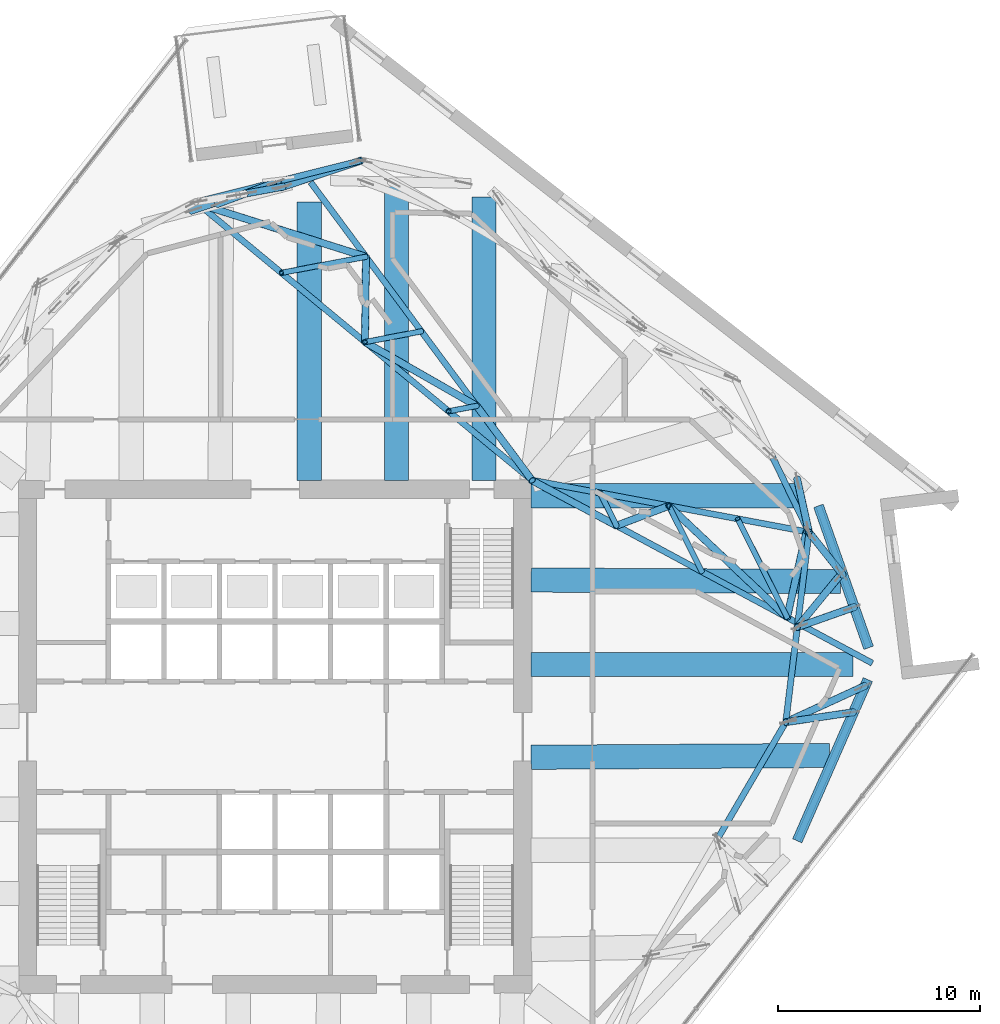
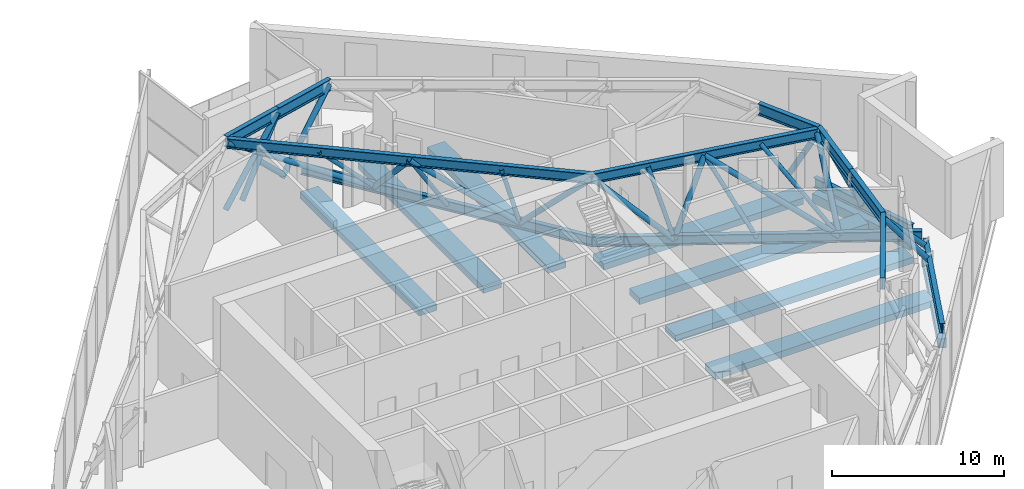
# One storey, part 7 of 23: 24 members, 21 beams.
"""IFC4 building model written with IfcOpenShell, lengths in metres."""

from ifc_helpers import new_model, si_unit, direction, frame, origin, origin_2d, place, context, subcontext, project, spatial, rectangle, hollow_circle, i_section, extrude, material, material_profile, profile_set, type_object, element, save


model = new_model("IFC4")

# Units and contexts
model_context = context("Model", 3, precision=1e-05, world=origin(), true_north=direction((0.0, 1.0)))
body_context = subcontext(model_context, "Body", "Model", "MODEL_VIEW")
ifc_project = project(units=[si_unit("LENGTHUNIT", "METRE"), si_unit("AREAUNIT", "SQUARE_METRE"), si_unit("VOLUMEUNIT", "CUBIC_METRE"), si_unit("PLANEANGLEUNIT", "RADIAN"), si_unit("MASSUNIT", "GRAM", prefix="KILO")], contexts=[model_context])

# Site, building, storey
site_placement = place(None, origin())
site = spatial("IfcSite", under=ifc_project, at=site_placement, CompositionType="ELEMENT")
building_placement = place(site_placement, origin())
building = spatial("IfcBuilding", under=site, at=building_placement, Name="Dilmun Exchange Tower", CompositionType="ELEMENT")
storey_placement = place(building_placement, frame((0.0, 0.0, 237.300048828125)))
storey = spatial("IfcBuildingStorey", under=building, at=storey_placement, Name="L56", CompositionType="ELEMENT", Elevation=237.300048828125)

# Beams
ifc_material_1 = material(Name="Concrete C40/50", Category="concrete")
ifc_material_profile_1 = material_profile(ifc_material_1, rectangle(XDim=1.199951171875, YDim=0.449951171875, at=origin_2d()), Name="1200 x 450")
ifc_profile_set_1 = profile_set([ifc_material_profile_1], Name="Concrete C40/50")
beam_type_1 = type_object("IfcBeamType", Name="RC band beam 1200 x 450 C40/50", PredefinedType="BEAM", material=ifc_profile_set_1)
beam_1_placement = place(storey_placement, frame((1.68505859375, 26.465576171875, -0.705078125), z_axis=(0.0, -1.0, 0.0), x_axis=(1.0, 0.0, 0.0)))
element("IfcBeam", 1, at=beam_1_placement, inside=storey, type_object=beam_type_1, Name="Band beam 1", PredefinedType="BEAM", context=body_context, shape_type="SweptSolid", body=[
    extrude(rectangle(XDim=1.199951171875, YDim=0.449951171875, at=origin_2d()), origin(), (0.0, 0.0, 1.0), 13.79248046875),
])
beam_2_placement = place(storey_placement, frame((28.586669921875, 3.58203125, -0.705078125), z_axis=(-1.0, 0.0, 0.0), x_axis=(0.0, -1.0, 0.0)))
element("IfcBeam", 2, at=beam_2_placement, inside=storey, type_object=beam_type_1, Name="Band beam 13", PredefinedType="BEAM", context=body_context, shape_type="SweptSolid", body=[
    extrude(rectangle(XDim=1.199951171875, YDim=0.449951171875, at=origin_2d()), origin(), (0.0, 0.0, 1.0), 15.91357421875),
])
beam_3_placement = place(storey_placement, frame((26.0458984375, 11.930908203125, -0.705078125), z_axis=(-1.0, 0.0, 0.0), x_axis=(0.0, -1.0, 0.0)))
element("IfcBeam", 3, at=beam_3_placement, inside=storey, type_object=beam_type_1, Name="Band beam 14", PredefinedType="BEAM", context=body_context, shape_type="SweptSolid", body=[
    extrude(rectangle(XDim=1.199951171875, YDim=0.449951171875, at=origin_2d()), origin(), (0.0, 0.0, 1.0), 13.372802734375),
])
beam_4_placement = place(storey_placement, frame((10.3330078125, 26.703857421875, -0.705078125), z_axis=(0.0, -1.0, 0.0), x_axis=(1.0, 0.0, 0.0)))
element("IfcBeam", 4, at=beam_4_placement, inside=storey, type_object=beam_type_1, Name="Band beam 16", PredefinedType="BEAM", context=body_context, shape_type="SweptSolid", body=[
    extrude(rectangle(XDim=1.199951171875, YDim=0.449951171875, at=origin_2d()), origin(), (0.0, 0.0, 1.0), 14.03076171875),
])
beam_5_placement = place(storey_placement, frame((27.441650390625, -0.924072265625, -0.60498046875), z_axis=(-0.999981696912, -0.006050276087, 0.0), x_axis=(0.006050276087, -0.999981696912, 0.0)))
element("IfcBeam", 5, at=beam_5_placement, inside=storey, type_object=beam_type_1, Name="Band beam 28", PredefinedType="BEAM", context=body_context, shape_type="SweptSolid", body=[
    extrude(rectangle(XDim=1.199951171875, YDim=0.449951171875, at=origin_2d()), origin(), (0.0, 0.0, 1.0), 14.768798828125),
])
beam_6_placement = place(storey_placement, frame((27.972412109375, 7.68212890625, -0.60498046875), z_axis=(-0.99998815601, 0.004867015408, 0.0), x_axis=(-0.004867015408, -0.99998815601, 0.0)))
element("IfcBeam", 6, at=beam_6_placement, inside=storey, type_object=beam_type_1, Name="Band beam 29", PredefinedType="BEAM", context=body_context, shape_type="SweptSolid", body=[
    extrude(rectangle(XDim=1.199951171875, YDim=0.449951171875, at=origin_2d()), origin(), (0.0, 0.0, 1.0), 15.299560546875),
])
beam_7_placement = place(storey_placement, frame((6.00439453125, 27.22802734375, -0.60498046875), z_axis=(0.000318701025, -0.999999949215, 0.0), x_axis=(0.999999949215, 0.000318701025, 0.0)))
element("IfcBeam", 7, at=beam_7_placement, inside=storey, type_object=beam_type_1, Name="Band beam 32", PredefinedType="BEAM", context=body_context, shape_type="SweptSolid", body=[
    extrude(rectangle(XDim=1.199951171875, YDim=0.449951171875, at=origin_2d()), origin(), (0.0, 0.0, 1.0), 14.554931640625),
])
ifc_material_profile_2 = material_profile(ifc_material_1, rectangle(XDim=0.5, YDim=0.64990234375, at=origin_2d()), Name="500 x 650")
ifc_profile_set_2 = profile_set([ifc_material_profile_2], Name="Concrete C40/50")
beam_type_2 = type_object("IfcBeamType", Name="RC ring beam 500 x 650 C40/50", PredefinedType="SPANDREL", material=ifc_profile_set_2)
beam_8_placement = place(storey_placement, frame((25.835205078125, -5.1474609375, -0.705078125), z_axis=(0.401239440722, 0.915973204416, 0.0), x_axis=(-0.915973204416, 0.401239440722, 0.0)))
element("IfcBeam", 8, at=beam_8_placement, inside=storey, type_object=beam_type_2, Name="Ring beam 12", PredefinedType="SPANDREL", context=body_context, shape_type="SweptSolid", body=[
    extrude(rectangle(XDim=0.5, YDim=0.64990234375, at=origin_2d()), origin(), (0.0, 0.0, 1.0), 8.707763671875),
])
beam_9_placement = place(storey_placement, frame((29.367919921875, 4.404541015625, -0.705078125), z_axis=(-0.333423578623, 0.942777130195, 0.0), x_axis=(-0.942777130195, -0.333423578623, 0.0)))
element("IfcBeam", 9, at=beam_9_placement, inside=storey, type_object=beam_type_2, Name="Ring beam 13", PredefinedType="SPANDREL", context=body_context, shape_type="SweptSolid", body=[
    extrude(rectangle(XDim=0.5, YDim=0.64990234375, at=origin_2d()), origin(), (0.0, 0.0, 1.0), 7.4482421875),
])
ifc_material_2 = material(Name="Steel S355", Category="steel")
ifc_material_profile_3 = material_profile(ifc_material_2, i_section(OverallWidth=0.300048828125, OverallDepth=0.699951171875, WebThickness=0.01708984375, FlangeThickness=0.031982421875, FilletRadius=0.027099609375, at=origin_2d()), Name="HEB 700")
ifc_profile_set_3 = profile_set([ifc_material_profile_3], Name="Steel S355")
beam_type_3 = type_object("IfcBeamType", Name="belt bottom chord HEB 700", PredefinedType="BEAM", material=ifc_profile_set_3)
beam_10_placement = place(storey_placement, frame((25.835205078125, -5.1474609375, 0.349853515625), z_axis=(0.401239440722, 0.915973204416, 0.0), x_axis=(-0.915973204416, 0.401239440722, 0.0)))
element("IfcBeam", 10, at=beam_10_placement, inside=storey, type_object=beam_type_3, Name="Belt bottom chord 12", PredefinedType="BEAM", context=body_context, shape_type="SweptSolid", body=[
    extrude(i_section(OverallWidth=0.300048828125, OverallDepth=0.699951171875, WebThickness=0.01708984375, FlangeThickness=0.031982421875, FilletRadius=0.027099609375, at=origin_2d()), origin(), (0.0, 0.0, 1.0), 8.707763671875),
])
beam_11_placement = place(storey_placement, frame((29.367919921875, 4.404541015625, 0.349853515625), z_axis=(-0.333423578623, 0.942777130195, 0.0), x_axis=(-0.942777130195, -0.333423578623, 0.0)))
element("IfcBeam", 11, at=beam_11_placement, inside=storey, type_object=beam_type_3, Name="Belt bottom chord 13", PredefinedType="BEAM", context=body_context, shape_type="SweptSolid", body=[
    extrude(i_section(OverallWidth=0.300048828125, OverallDepth=0.699951171875, WebThickness=0.01708984375, FlangeThickness=0.031982421875, FilletRadius=0.027099609375, at=origin_2d()), origin(), (0.0, 0.0, 1.0), 7.4482421875),
])
ifc_material_profile_4 = material_profile(ifc_material_2, i_section(OverallWidth=0.300048828125, OverallDepth=0.699951171875, WebThickness=0.01708984375, FlangeThickness=0.031982421875, FilletRadius=0.027099609375, at=origin_2d()), Name="HEB 700")
ifc_profile_set_4 = profile_set([ifc_material_profile_4], Name="Steel S355")
beam_type_4 = type_object("IfcBeamType", Name="outrigger chord HEB 700", PredefinedType="BEAM", material=ifc_profile_set_4)
beam_12_placement = place(storey_placement, frame((12.716064453125, 12.67822265625, 0.349853515625), z_axis=(-0.596059655436, 0.802940151668, 0.0), x_axis=(-0.802940151668, -0.596059655436, 0.0)))
element("IfcBeam", 12, at=beam_12_placement, inside=storey, type_object=beam_type_4, Name="Outrigger bottom chord 1", PredefinedType="BEAM", context=body_context, shape_type="SweptSolid", body=[
    extrude(i_section(OverallWidth=0.300048828125, OverallDepth=0.699951171875, WebThickness=0.01708984375, FlangeThickness=0.031982421875, FilletRadius=0.027099609375, at=origin_2d()), origin(), (0.0, 0.0, 1.0), 18.3837890625),
])
beam_13_placement = place(storey_placement, frame((12.720703125, 12.682861328125, 4.7900390625), z_axis=(-0.770240631739, 0.637753376485, 0.0), x_axis=(-0.637753376485, -0.770240631739, 0.0)))
element("IfcBeam", 13, at=beam_13_placement, inside=storey, type_object=beam_type_4, Name="Outrigger top chord 1", PredefinedType="BEAM", context=body_context, shape_type="SweptSolid", body=[
    extrude(i_section(OverallWidth=0.300048828125, OverallDepth=0.699951171875, WebThickness=0.01708984375, FlangeThickness=0.031982421875, FilletRadius=0.027099609375, at=origin_2d()), origin(), (0.0, 0.0, 1.0), 21.4736328125),
])
beam_14_placement = place(storey_placement, frame((12.67626953125, 12.712890625, 0.349853515625), z_axis=(0.880765537018, -0.473552604049, 0.0), x_axis=(0.473552604049, 0.880765537018, 0.0)))
element("IfcBeam", 14, at=beam_14_placement, inside=storey, type_object=beam_type_4, Name="Outrigger bottom chord 4", PredefinedType="BEAM", context=body_context, shape_type="SweptSolid", body=[
    extrude(i_section(OverallWidth=0.300048828125, OverallDepth=0.699951171875, WebThickness=0.01708984375, FlangeThickness=0.031982421875, FilletRadius=0.027099609375, at=origin_2d()), origin(), (0.0, 0.0, 1.0), 19.158935546875),
])
beam_15_placement = place(storey_placement, frame((12.673583984375, 12.705078125, 4.7900390625), z_axis=(0.98278691706, -0.184742728292, 0.0), x_axis=(0.184742728292, 0.98278691706, 0.0)))
element("IfcBeam", 15, at=beam_15_placement, inside=storey, type_object=beam_type_4, Name="Outrigger top chord 4", PredefinedType="BEAM", context=body_context, shape_type="SweptSolid", body=[
    extrude(i_section(OverallWidth=0.300048828125, OverallDepth=0.699951171875, WebThickness=0.01708984375, FlangeThickness=0.031982421875, FilletRadius=0.027099609375, at=origin_2d()), origin(), (0.0, 0.0, 1.0), 13.857421875),
])

# Members
ifc_material_profile_5 = material_profile(ifc_material_2, hollow_circle(Radius=0.136474609375, WallThickness=0.01611328125, at=origin_2d()), Name="CHS 273x16")
ifc_profile_set_5 = profile_set([ifc_material_profile_5], Name="Steel S355")
member_type_1 = type_object("IfcMemberType", Name="outrigger post CHS 273x16", PredefinedType="POST", material=ifc_profile_set_5)
member_1_placement = place(storey_placement, frame((8.585693359375, 16.1064453125, 4.7900390625), z_axis=(0.298449727086, 0.056263824274, -0.952765523348), x_axis=(-0.185257007557, 0.982690104331, 0.0)))
element("IfcMember", 16, at=member_1_placement, inside=storey, type_object=member_type_1, Name="Outrigger post 1.1", PredefinedType="POST", context=body_context, shape_type="SweptSolid", body=[
    extrude(hollow_circle(Radius=0.136474609375, WallThickness=0.01611328125, at=origin_2d()), origin(), (0.0, 0.0, 1.0), 4.660400390625),
])
member_2_placement = place(storey_placement, frame((4.45068359375, 19.5302734375, 4.7900390625), z_axis=(0.528894544605, 0.100320368764, -0.842737434969), x_axis=(-0.186356572029, 0.982482176969, 0.0)))
element("IfcMember", 17, at=member_2_placement, inside=storey, type_object=member_type_1, Name="Outrigger post 1.2", PredefinedType="POST", context=body_context, shape_type="SweptSolid", body=[
    extrude(hollow_circle(Radius=0.136474609375, WallThickness=0.01611328125, at=origin_2d()), origin(), (0.0, 0.0, 1.0), 5.268798828125),
])
member_3_placement = place(storey_placement, frame((0.31591796875, 22.953857421875, 4.7900390625), z_axis=(0.679862665561, 0.129272736396, -0.721855467252), x_axis=(-0.186798476998, 0.98239825376, 0.0)))
element("IfcMember", 18, at=member_3_placement, inside=storey, type_object=member_type_1, Name="Outrigger post 1.3", PredefinedType="POST", context=body_context, shape_type="SweptSolid", body=[
    extrude(hollow_circle(Radius=0.136474609375, WallThickness=0.01611328125, at=origin_2d()), origin(), (0.0, 0.0, 1.0), 6.151123046875),
])
member_4_placement = place(storey_placement, frame((16.078369140625, 12.06494140625, 4.7900390625), z_axis=(0.170205322717, -0.337814810667, -0.925695037155), x_axis=(0.893050504154, 0.449956439037, 0.0)))
element("IfcMember", 19, at=member_4_placement, inside=storey, type_object=member_type_1, Name="Outrigger post 4.1", PredefinedType="POST", context=body_context, shape_type="SweptSolid", body=[
    extrude(hollow_circle(Radius=0.136474609375, WallThickness=0.01611328125, at=origin_2d()), origin(), (0.0, 0.0, 1.0), 4.796630859375),
])
member_5_placement = place(storey_placement, frame((19.483154296875, 11.425048828125, 4.7900390625), z_axis=(0.28408935472, -0.566136431617, -0.773810557779), x_axis=(0.893781416636, 0.448502819696, 0.0)))
element("IfcMember", 20, at=member_5_placement, inside=storey, type_object=member_type_1, Name="Outrigger post 4.2", PredefinedType="POST", context=body_context, shape_type="SweptSolid", body=[
    extrude(hollow_circle(Radius=0.136474609375, WallThickness=0.01611328125, at=origin_2d()), origin(), (0.0, 0.0, 1.0), 5.738037109375),
])
member_6_placement = place(storey_placement, frame((22.8876953125, 10.784912109375, 4.7900390625), z_axis=(0.347528336912, -0.69332111481, -0.631292235658), x_axis=(0.893979171642, 0.448108514392, 0.0)))
element("IfcMember", 21, at=member_6_placement, inside=storey, type_object=member_type_1, Name="Outrigger post 4.3", PredefinedType="POST", context=body_context, shape_type="SweptSolid", body=[
    extrude(hollow_circle(Radius=0.136474609375, WallThickness=0.01611328125, at=origin_2d()), origin(), (0.0, 0.0, 1.0), 7.033447265625),
])

# Beams
ifc_material_profile_6 = material_profile(ifc_material_2, i_section(OverallWidth=0.302978515625, OverallDepth=0.81396484375, WebThickness=0.02099609375, FlangeThickness=0.0400390625, FilletRadius=0.030029296875, at=origin_2d()), Name="HEM 800")
ifc_profile_set_6 = profile_set([ifc_material_profile_6], Name="Steel S355")
beam_type_5 = type_object("IfcBeamType", Name="transfer chord HEM 800", PredefinedType="BEAM", material=ifc_profile_set_6)
beam_16_placement = place(storey_placement, frame((21.89306640625, -5.051513671875, 4.8330078125), z_axis=(0.504669797844, 0.863312455108, 0.0), x_axis=(-0.863312455108, 0.504669797844, 0.0)))
element("IfcBeam", 22, at=beam_16_placement, inside=storey, type_object=beam_type_5, Name="Transfer chord 22", PredefinedType="BEAM", context=body_context, shape_type="SweptSolid", body=[
    extrude(i_section(OverallWidth=0.302978515625, OverallDepth=0.81396484375, WebThickness=0.02099609375, FlangeThickness=0.0400390625, FilletRadius=0.030029296875, at=origin_2d()), origin(), (0.0, 0.0, 1.0), 6.6875),
])
beam_17_placement = place(storey_placement, frame((25.26806640625, 0.721923828125, 4.8330078125), z_axis=(0.121115092903, 0.992638471082, 0.0), x_axis=(-0.992638471082, 0.121115092903, 0.0)))
element("IfcBeam", 23, at=beam_17_placement, inside=storey, type_object=beam_type_5, Name="Transfer chord 23", PredefinedType="BEAM", context=body_context, shape_type="SweptSolid", body=[
    extrude(i_section(OverallWidth=0.302978515625, OverallDepth=0.81396484375, WebThickness=0.02099609375, FlangeThickness=0.0400390625, FilletRadius=0.030029296875, at=origin_2d()), origin(), (0.0, 0.0, 1.0), 4.735107421875),
])
beam_18_placement = place(storey_placement, frame((25.841552734375, 5.422119140625, 4.8330078125), z_axis=(0.121121291975, 0.992637714693, 0.0), x_axis=(-0.992637714693, 0.121121291975, 0.0)))
element("IfcBeam", 24, at=beam_18_placement, inside=storey, type_object=beam_type_5, Name="Transfer chord 24", PredefinedType="BEAM", context=body_context, shape_type="SweptSolid", body=[
    extrude(i_section(OverallWidth=0.302978515625, OverallDepth=0.81396484375, WebThickness=0.02099609375, FlangeThickness=0.0400390625, FilletRadius=0.030029296875, at=origin_2d()), origin(), (0.0, 0.0, 1.0), 4.73486328125),
])
beam_19_placement = place(storey_placement, frame((26.4150390625, 10.1220703125, 4.8330078125), z_axis=(-0.435477342171, 0.900199691433, 0.0), x_axis=(-0.900199691433, -0.435477342171, 0.0)))
element("IfcBeam", 25, at=beam_19_placement, inside=storey, type_object=beam_type_5, Name="Transfer chord 25", PredefinedType="BEAM", context=body_context, shape_type="SweptSolid", body=[
    extrude(i_section(OverallWidth=0.302978515625, OverallDepth=0.81396484375, WebThickness=0.02099609375, FlangeThickness=0.0400390625, FilletRadius=0.030029296875, at=origin_2d()), origin(), (0.0, 0.0, 1.0), 4.19921875),
])
beam_20_placement = place(storey_placement, frame((4.239990234375, 28.506103515625, 4.8330078125), z_axis=(-0.969844584706, -0.243724191486, 0.0), x_axis=(0.243724191486, -0.969844584706, 0.0)))
element("IfcBeam", 26, at=beam_20_placement, inside=storey, type_object=beam_type_5, Name="Transfer chord 31", PredefinedType="BEAM", context=body_context, shape_type="SweptSolid", body=[
    extrude(i_section(OverallWidth=0.302978515625, OverallDepth=0.81396484375, WebThickness=0.02099609375, FlangeThickness=0.0400390625, FilletRadius=0.030029296875, at=origin_2d()), origin(), (0.0, 0.0, 1.0), 4.2041015625),
])
beam_21_placement = place(storey_placement, frame((0.16259765625, 27.4814453125, 4.8330078125), z_axis=(-0.9698617576, -0.243655845701, 0.0), x_axis=(0.243655845701, -0.9698617576, 0.0)))
element("IfcBeam", 27, at=beam_21_placement, inside=storey, type_object=beam_type_5, Name="Transfer chord 32", PredefinedType="BEAM", context=body_context, shape_type="SweptSolid", body=[
    extrude(i_section(OverallWidth=0.302978515625, OverallDepth=0.81396484375, WebThickness=0.02099609375, FlangeThickness=0.0400390625, FilletRadius=0.030029296875, at=origin_2d()), origin(), (0.0, 0.0, 1.0), 4.204345703125),
])

# Members
ifc_material_profile_7 = material_profile(ifc_material_2, hollow_circle(Radius=0.177734375, WallThickness=0.02001953125, at=origin_2d()), Name="CHS 355.6x20")
ifc_profile_set_7 = profile_set([ifc_material_profile_7], Name="Steel S355")
member_type_2 = type_object("IfcMemberType", Name="truss diagonal CHS 355.6x20", PredefinedType="BRACE", material=ifc_profile_set_7)
member_7_placement = place(storey_placement, frame((-1.474609375, 26.87353515625, 2.399169921875), z_axis=(0.700810640889, 0.128299612879, -0.701714796019), x_axis=(-0.180080257427, 0.983651920592, 0.0)))
element("IfcMember", 28, at=member_7_placement, inside=storey, type_object=member_type_2, Name="Truss diagonal 2C", PredefinedType="BRACE", context=body_context, shape_type="SweptSolid", body=[
    extrude(hollow_circle(Radius=0.177734375, WallThickness=0.02001953125, at=origin_2d()), origin(), (0.0, 0.0, 1.0), 2.7001953125),
])
member_8_placement = place(storey_placement, frame((25.26806640625, 0.721923828125, 4.8330078125), z_axis=(0.630808524286, 0.290026907718, -0.719697852219), x_axis=(-0.417733211631, 0.908569735298, 0.0)))
element("IfcMember", 29, at=member_8_placement, inside=storey, type_object=member_type_2, Name="Truss diagonal 45", PredefinedType="BRACE", context=body_context, shape_type="SweptSolid", body=[
    extrude(hollow_circle(Radius=0.177734375, WallThickness=0.02001953125, at=origin_2d()), origin(), (0.0, 0.0, 1.0), 6.229248046875),
])
member_9_placement = place(storey_placement, frame((25.26806640625, 0.721923828125, 4.8330078125), z_axis=(0.596852680666, 0.088118612317, -0.797497327735), x_axis=(-0.146055576503, 0.989276386341, 0.0)))
element("IfcMember", 30, at=member_9_placement, inside=storey, type_object=member_type_2, Name="Truss diagonal 46", PredefinedType="BRACE", context=body_context, shape_type="SweptSolid", body=[
    extrude(hollow_circle(Radius=0.177734375, WallThickness=0.02001953125, at=origin_2d()), origin(), (0.0, 0.0, 1.0), 5.62158203125),
])
member_10_placement = place(storey_placement, frame((25.841552734375, 5.422119140625, 4.8330078125), z_axis=(0.522535668795, 0.184800305489, -0.832349278806), x_axis=(-0.333423219748, 0.942777257115, 0.0)))
element("IfcMember", 31, at=member_10_placement, inside=storey, type_object=member_type_2, Name="Truss diagonal 47", PredefinedType="BRACE", context=body_context, shape_type="SweptSolid", body=[
    extrude(hollow_circle(Radius=0.177734375, WallThickness=0.02001953125, at=origin_2d()), origin(), (0.0, 0.0, 1.0), 5.38623046875),
])
member_11_placement = place(storey_placement, frame((25.841552734375, 5.422119140625, 4.8330078125), z_axis=(0.389920405298, 0.474095063906, -0.789427607772), x_axis=(-0.772338441393, 0.635211249858, 0.0)))
element("IfcMember", 32, at=member_11_placement, inside=storey, type_object=member_type_2, Name="Truss diagonal 48", PredefinedType="BRACE", context=body_context, shape_type="SweptSolid", body=[
    extrude(hollow_circle(Radius=0.177734375, WallThickness=0.02001953125, at=origin_2d()), origin(), (0.0, 0.0, 1.0), 5.678955078125),
])
member_12_placement = place(storey_placement, frame((26.4150390625, 10.1220703125, 4.8330078125), z_axis=(-0.111307965495, 0.503149340044, -0.857001329305), x_axis=(-0.976393320872, -0.21600019203, 0.0)))
element("IfcMember", 33, at=member_12_placement, inside=storey, type_object=member_type_2, Name="Truss diagonal 49", PredefinedType="BRACE", context=body_context, shape_type="SweptSolid", body=[
    extrude(hollow_circle(Radius=0.177734375, WallThickness=0.02001953125, at=origin_2d()), origin(), (0.0, 0.0, 1.0), 5.231201171875),
])
member_13_placement = place(storey_placement, frame((26.4150390625, 10.1220703125, 4.8330078125), z_axis=(0.320635516304, -0.403605964273, -0.856910200247), x_axis=(0.7829928324, 0.622030726259, 0.0)))
element("IfcMember", 34, at=member_13_placement, inside=storey, type_object=member_type_2, Name="Truss diagonal 50", PredefinedType="BRACE", context=body_context, shape_type="SweptSolid", body=[
    extrude(hollow_circle(Radius=0.177734375, WallThickness=0.02001953125, at=origin_2d()), origin(), (0.0, 0.0, 1.0), 5.231689453125),
])
member_14_placement = place(storey_placement, frame((4.239990234375, 28.506103515625, 4.8330078125), z_axis=(-0.646052240255, -0.217396140547, -0.731679862329), x_axis=(0.318927076913, -0.947779256795, 0.0)))
element("IfcMember", 35, at=member_14_placement, inside=storey, type_object=member_type_2, Name="Truss diagonal 61", PredefinedType="BRACE", context=body_context, shape_type="SweptSolid", body=[
    extrude(hollow_circle(Radius=0.177734375, WallThickness=0.02001953125, at=origin_2d()), origin(), (0.0, 0.0, 1.0), 6.127197265625),
])
member_15_placement = place(storey_placement, frame((0.16259765625, 27.4814453125, 4.8330078125), z_axis=(-0.546489692246, -0.2029591303, -0.812500220121), x_axis=(0.348152227468, -0.937438012089, 0.0)))
element("IfcMember", 36, at=member_15_placement, inside=storey, type_object=member_type_2, Name="Truss diagonal 63", PredefinedType="BRACE", context=body_context, shape_type="SweptSolid", body=[
    extrude(hollow_circle(Radius=0.177734375, WallThickness=0.02001953125, at=origin_2d()), origin(), (0.0, 0.0, 1.0), 5.517822265625),
])
member_16_placement = place(storey_placement, frame((0.16259765625, 27.4814453125, 4.8330078125), z_axis=(-0.675778349291, -0.228071375791, -0.700932999776), x_axis=(0.319773839564, -0.947493900524, 0.0)))
element("IfcMember", 37, at=member_16_placement, inside=storey, type_object=member_type_2, Name="Truss diagonal 64", PredefinedType="BRACE", context=body_context, shape_type="SweptSolid", body=[
    extrude(hollow_circle(Radius=0.177734375, WallThickness=0.02001953125, at=origin_2d()), origin(), (0.0, 0.0, 1.0), 6.39599609375),
])
member_17_placement = place(storey_placement, frame((12.720703125, 12.682861328125, 4.7900390625), z_axis=(-0.429450808321, 0.576816623951, -0.694877388872), x_axis=(-0.802105379924, -0.597182517742, 0.0)))
element("IfcMember", 38, at=member_17_placement, inside=storey, type_object=member_type_2, Name="Outrigger diagonal 1.0", PredefinedType="BRACE", context=body_context, shape_type="SweptSolid", body=[
    extrude(hollow_circle(Radius=0.177734375, WallThickness=0.02001953125, at=origin_2d()), origin(), (0.0, 0.0, 1.0), 6.389892578125),
])
member_18_placement = place(storey_placement, frame((4.45068359375, 19.5302734375, 4.7900390625), z_axis=(0.711927375497, -0.407327892228, -0.572051920923), x_axis=(0.496609663768, 0.867973986852, 0.0)))
element("IfcMember", 39, at=member_18_placement, inside=storey, type_object=member_type_2, Name="Outrigger diagonal 1.1", PredefinedType="BRACE", context=body_context, shape_type="SweptSolid", body=[
    extrude(hollow_circle(Radius=0.177734375, WallThickness=0.02001953125, at=origin_2d()), origin(), (0.0, 0.0, 1.0), 7.761962890625),
])
member_19_placement = place(storey_placement, frame((4.45068359375, 19.5302734375, 4.7900390625), z_axis=(0.007692952245, 0.688778314972, -0.724931204536), x_axis=(-0.999937632761, 0.011168284903, 0.0)))
element("IfcMember", 40, at=member_19_placement, inside=storey, type_object=member_type_2, Name="Outrigger diagonal 1.2", PredefinedType="BRACE", context=body_context, shape_type="SweptSolid", body=[
    extrude(hollow_circle(Radius=0.177734375, WallThickness=0.02001953125, at=origin_2d()), origin(), (0.0, 0.0, 1.0), 6.125),
])
member_20_placement = place(storey_placement, frame((-3.819091796875, 26.377685546875, 4.7900390625), z_axis=(0.849743504871, -0.268572427551, -0.453657169115), x_axis=(0.30136846294, 0.953507760611, 0.0)))
element("IfcMember", 41, at=member_20_placement, inside=storey, type_object=member_type_2, Name="Outrigger diagonal 1.3", PredefinedType="BRACE", context=body_context, shape_type="SweptSolid", body=[
    extrude(hollow_circle(Radius=0.177734375, WallThickness=0.02001953125, at=origin_2d()), origin(), (0.0, 0.0, 1.0), 9.78759765625),
])
member_21_placement = place(storey_placement, frame((12.673583984375, 12.705078125, 4.7900390625), z_axis=(0.646410405586, -0.346160436398, -0.679945983019), x_axis=(0.472082748017, 0.881554240546, 0.0)))
element("IfcMember", 42, at=member_21_placement, inside=storey, type_object=member_type_2, Name="Outrigger diagonal 4.0", PredefinedType="BRACE", context=body_context, shape_type="SweptSolid", body=[
    extrude(hollow_circle(Radius=0.177734375, WallThickness=0.02001953125, at=origin_2d()), origin(), (0.0, 0.0, 1.0), 6.5302734375),
])
member_22_placement = place(storey_placement, frame((19.483154296875, 11.425048828125, 4.7900390625), z_axis=(-0.494698619174, -0.187390082494, -0.848621372091), x_axis=(0.354234075139, -0.935156788999, 0.0)))
element("IfcMember", 43, at=member_22_placement, inside=storey, type_object=member_type_2, Name="Outrigger diagonal 4.1", PredefinedType="BRACE", context=body_context, shape_type="SweptSolid", body=[
    extrude(hollow_circle(Radius=0.177734375, WallThickness=0.02001953125, at=origin_2d()), origin(), (0.0, 0.0, 1.0), 5.232177734375),
])
member_23_placement = place(storey_placement, frame((19.483154296875, 11.425048828125, 4.7900390625), z_axis=(0.636811106424, -0.600633792243, -0.483436306405), x_axis=(0.686140999814, 0.727468575524, 0.0)))
element("IfcMember", 44, at=member_23_placement, inside=storey, type_object=member_type_2, Name="Outrigger diagonal 4.2", PredefinedType="BRACE", context=body_context, shape_type="SweptSolid", body=[
    extrude(hollow_circle(Radius=0.177734375, WallThickness=0.02001953125, at=origin_2d()), origin(), (0.0, 0.0, 1.0), 9.1845703125),
])
member_24_placement = place(storey_placement, frame((26.29248046875, 10.14501953125, 4.7900390625), z_axis=(-0.154617302743, -0.682021874556, -0.714800428315), x_axis=(0.975252512674, -0.221093954063, 0.0)))
element("IfcMember", 45, at=member_24_placement, inside=storey, type_object=member_type_2, Name="Outrigger diagonal 4.3", PredefinedType="BRACE", context=body_context, shape_type="SweptSolid", body=[
    extrude(hollow_circle(Radius=0.177734375, WallThickness=0.02001953125, at=origin_2d()), origin(), (0.0, 0.0, 1.0), 6.211669921875),
])

save(model, "model.ifc")
